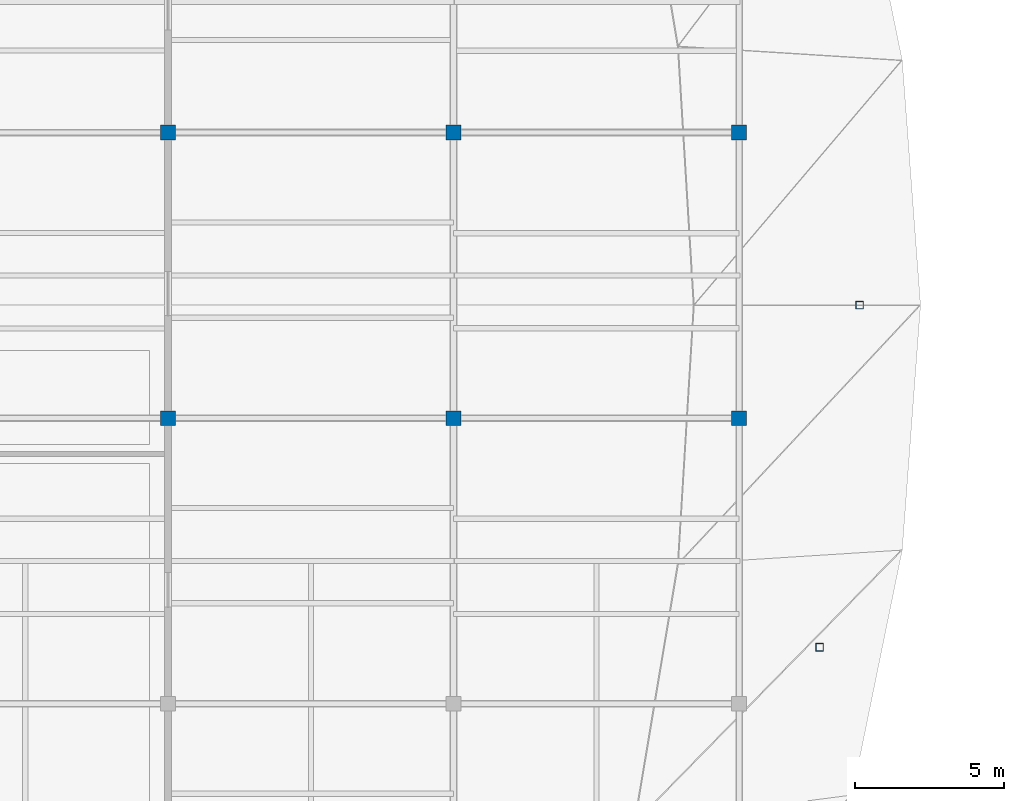
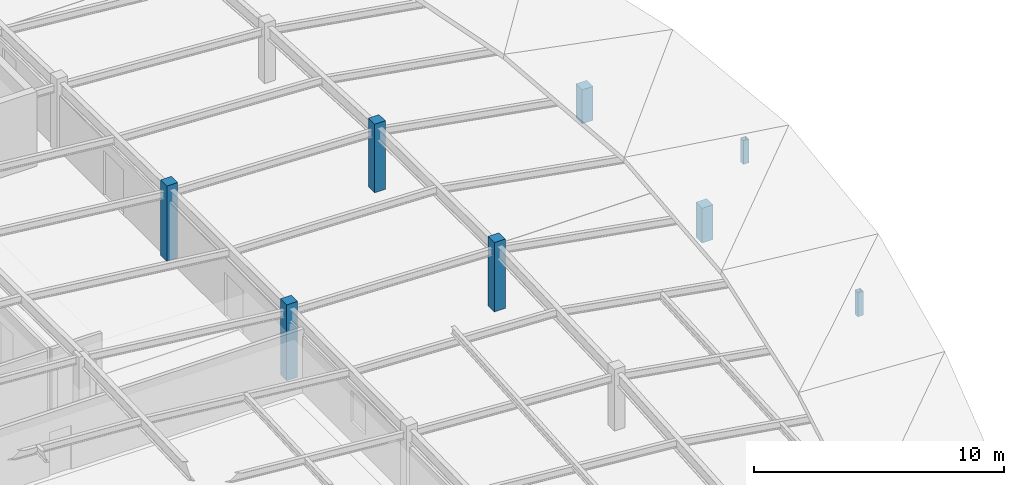
# One storey, part 7 of 65: 8 columns.
"""IFC4 building model written with IfcOpenShell, lengths in metres."""

from ifc_helpers import new_model, si_unit, direction, frame, origin, origin_2d, place, context, subcontext, project, spatial, rectangle, hollow_rectangle, extrude, material, material_profile, profile_set, type_object, element, save


model = new_model("IFC4")

# Units and contexts
model_context = context("Model", 3, precision=1e-05, world=origin(), true_north=direction((0.0, 1.0)))
body_context = subcontext(model_context, "Body", "Model", "MODEL_VIEW")
ifc_project = project(units=[si_unit("LENGTHUNIT", "METRE"), si_unit("AREAUNIT", "SQUARE_METRE"), si_unit("VOLUMEUNIT", "CUBIC_METRE"), si_unit("PLANEANGLEUNIT", "RADIAN"), si_unit("MASSUNIT", "GRAM", prefix="KILO")], contexts=[model_context])

# Site, building, storey
site_placement = place(None, origin())
site = spatial("IfcSite", under=ifc_project, at=site_placement, CompositionType="ELEMENT")
building_placement = place(site_placement, origin())
building = spatial("IfcBuilding", under=site, at=building_placement, Name="Chalmorin Arch Market", CompositionType="ELEMENT")
storey_placement = place(building_placement, frame((0.0, 0.0, 14.10009765625)))
storey = spatial("IfcBuildingStorey", under=building, at=storey_placement, Name="L03", CompositionType="ELEMENT", Elevation=14.10009765625)

# Columns
ifc_material_1 = material(Name="Steel A500 Grade C", Category="steel")
ifc_material_profile_1 = material_profile(ifc_material_1, hollow_rectangle(XDim=0.25390625, YDim=0.25390625, WallThickness=0.01171875, at=origin_2d()), Name="HSS10X10X1/2")
ifc_profile_set_1 = profile_set([ifc_material_profile_1], Name="Steel A500 Grade C")
column_type_1 = type_object("IfcColumnType", Name="SteelTubeColumn-HSS10X10", PredefinedType="COLUMN", material=ifc_profile_set_1)
column_1_placement = place(storey_placement, frame((117.903076171875, 83.5, 0.0), z_axis=(0.0, 0.0, 1.0), x_axis=(1.0, 0.0, 0.0)))
element("IfcColumn", 1, at=column_1_placement, inside=storey, type_object=column_type_1, Name="C-HS2-739", PredefinedType="COLUMN", context=body_context, shape_type="SweptSolid", body=[
    extrude(hollow_rectangle(XDim=0.25390625, YDim=0.25390625, WallThickness=0.01171875, at=origin_2d()), origin(), (0.0, 0.0, 1.0), 1.173828125),
])
column_2_placement = place(storey_placement, frame((119.25, 95.0, 0.0), z_axis=(0.0, 0.0, 1.0), x_axis=(1.0, 0.0, 0.0)))
element("IfcColumn", 2, at=column_2_placement, inside=storey, type_object=column_type_1, Name="C-HS2-743", PredefinedType="COLUMN", context=body_context, shape_type="SweptSolid", body=[
    extrude(hollow_rectangle(XDim=0.25390625, YDim=0.25390625, WallThickness=0.01171875, at=origin_2d()), origin(), (0.0, 0.0, 1.0), 1.156982421875),
])
ifc_material_2 = material(Name="Concrete C40/50", Category="concrete")
ifc_material_profile_2 = material_profile(ifc_material_2, rectangle(XDim=0.5, YDim=0.5, at=origin_2d()), Name="RC500X500")
ifc_profile_set_2 = profile_set([ifc_material_profile_2], Name="Concrete C40/50")
column_type_2 = type_object("IfcColumnType", Name="UpperConcreteColumn-500x500", PredefinedType="COLUMN", material=ifc_profile_set_2)
column_3_placement = place(storey_placement, frame((96.0, 91.199951171875, 0.0), z_axis=(0.0, 0.0, 1.0), x_axis=(1.0, 0.0, 0.0)))
element("IfcColumn", 3, at=column_3_placement, inside=storey, type_object=column_type_2, Name="C-RC3-514", PredefinedType="COLUMN", context=body_context, shape_type="SweptSolid", body=[
    extrude(rectangle(XDim=0.5, YDim=0.5, at=origin_2d()), origin(), (0.0, 0.0, 1.0), 3.704833984375),
])
column_4_placement = place(storey_placement, frame((96.0, 100.800048828125, 0.0), z_axis=(0.0, 0.0, 1.0), x_axis=(1.0, 0.0, 0.0)))
element("IfcColumn", 4, at=column_4_placement, inside=storey, type_object=column_type_2, Name="C-RC3-519", PredefinedType="COLUMN", context=body_context, shape_type="SweptSolid", body=[
    extrude(rectangle(XDim=0.5, YDim=0.5, at=origin_2d()), origin(), (0.0, 0.0, 1.0), 3.69091796875),
])
column_5_placement = place(storey_placement, frame((105.60009765625, 91.199951171875, 0.0), z_axis=(0.0, 0.0, 1.0), x_axis=(1.0, 0.0, 0.0)))
element("IfcColumn", 5, at=column_5_placement, inside=storey, type_object=column_type_2, Name="C-RC3-569", PredefinedType="COLUMN", context=body_context, shape_type="SweptSolid", body=[
    extrude(rectangle(XDim=0.5, YDim=0.5, at=origin_2d()), origin(), (0.0, 0.0, 1.0), 3.390869140625),
])
column_6_placement = place(storey_placement, frame((105.60009765625, 100.800048828125, 0.0), z_axis=(0.0, 0.0, 1.0), x_axis=(1.0, 0.0, 0.0)))
element("IfcColumn", 6, at=column_6_placement, inside=storey, type_object=column_type_2, Name="C-RC3-574", PredefinedType="COLUMN", context=body_context, shape_type="SweptSolid", body=[
    extrude(rectangle(XDim=0.5, YDim=0.5, at=origin_2d()), origin(), (0.0, 0.0, 1.0), 3.344970703125),
])
column_7_placement = place(storey_placement, frame((115.199951171875, 91.199951171875, 0.0), z_axis=(0.0, 0.0, 1.0), x_axis=(1.0, 0.0, 0.0)))
element("IfcColumn", 7, at=column_7_placement, inside=storey, type_object=column_type_2, Name="C-RC3-624", PredefinedType="COLUMN", context=body_context, shape_type="SweptSolid", body=[
    extrude(rectangle(XDim=0.5, YDim=0.5, at=origin_2d()), origin(), (0.0, 0.0, 1.0), 1.704833984375),
])
column_8_placement = place(storey_placement, frame((115.199951171875, 100.800048828125, 0.0), z_axis=(0.0, 0.0, 1.0), x_axis=(1.0, 0.0, 0.0)))
element("IfcColumn", 8, at=column_8_placement, inside=storey, type_object=column_type_2, Name="C-RC3-629", PredefinedType="COLUMN", context=body_context, shape_type="SweptSolid", body=[
    extrude(rectangle(XDim=0.5, YDim=0.5, at=origin_2d()), origin(), (0.0, 0.0, 1.0), 1.6689453125),
])

save(model, "model.ifc")
